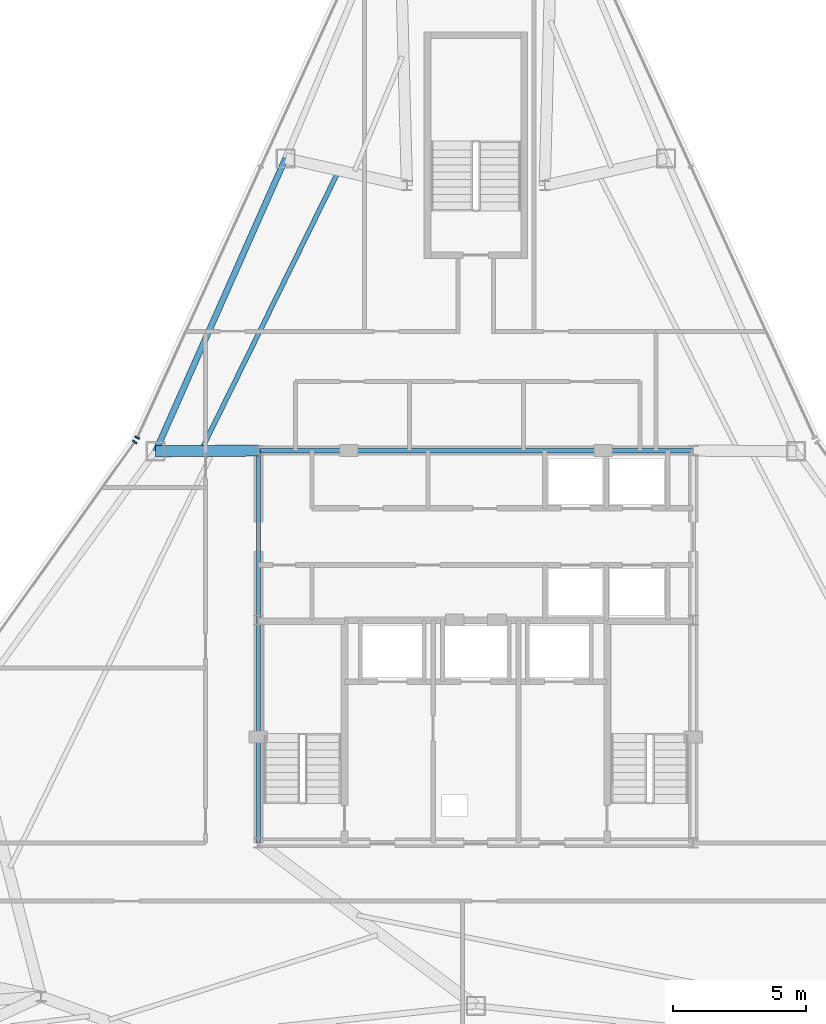
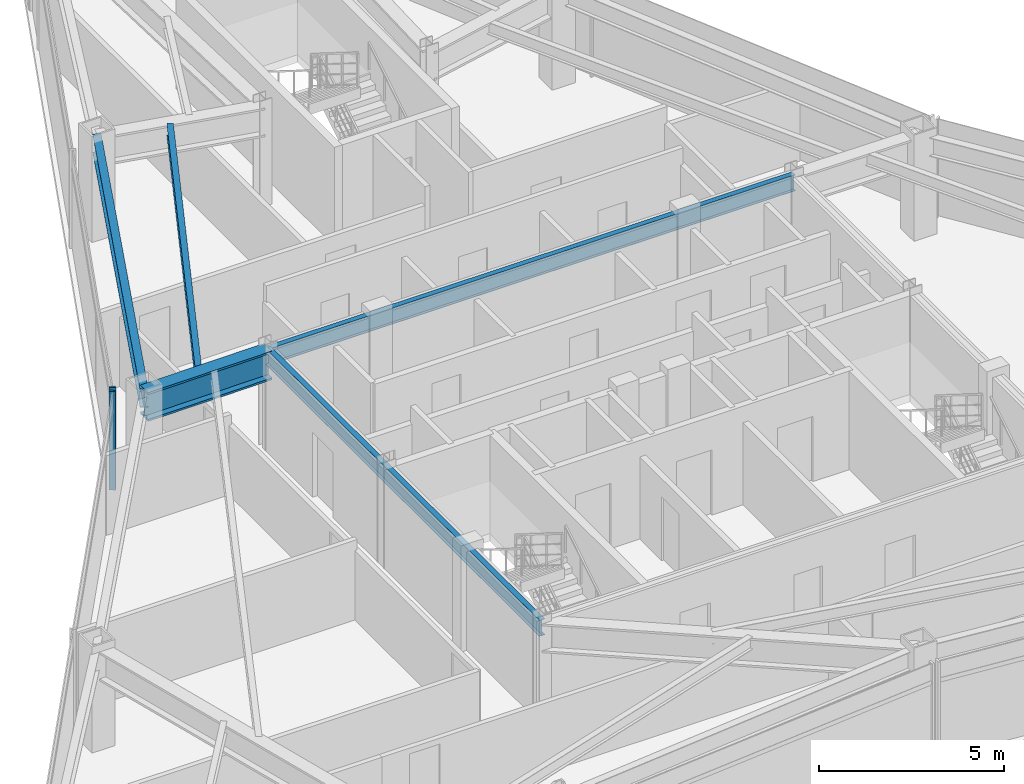
# One storey, part 5 of 12: 5 beams, 2 members, 2 elements without a shape of their own.
"""IFC4 building model written with IfcOpenShell, lengths in metres."""

import ifcopenshell
import ifcopenshell.guid

model = None  # the IFC model being written
_history = None  # IfcOwnerHistory: only IFC2X3 demands one
_inside = {}  # id of a spatial element -> (the spatial element, [elements in it])
_under = {}  # id of a project, library or spatial element -> (it, [spatial elements below it])
_declared = {}  # id of a project -> (the project, [libraries it declares])
_typed = {}  # id of a type object -> (the type object, [elements of that type])
_made_of = {}  # id of a material, layer set ... -> (it, [elements and type objects made of it])


def new_model(schema):
    """Start an empty IFC model of exactly this schema.

    Asked for "IFC4X3", IfcOpenShell would pick the latest addendum, in which some entities
    have other attributes; the version numbers below select the first issue.
    IFC2X3 requires an IfcOwnerHistory on every rooted entity: one is made here for all.
    """
    global model, _history
    if schema == "IFC4X3":
        model = ifcopenshell.file(schema_version=(4, 3, 0, 0))
    else:
        model = ifcopenshell.file(schema=schema)
    _inside.clear()
    _under.clear()
    _declared.clear()
    _typed.clear()
    _made_of.clear()
    _history = None
    if model.schema == "IFC2X3":
        org = make("IfcOrganization", Name="unknown")
        user = make(
            "IfcPersonAndOrganization",
            ThePerson=make("IfcPerson", FamilyName="unknown"),
            TheOrganization=org,
        )
        app = make(
            "IfcApplication",
            ApplicationDeveloper=org,
            Version="unknown",
            ApplicationFullName="unknown",
            ApplicationIdentifier="unknown",
        )
        _history = make(
            "IfcOwnerHistory",
            OwningUser=user,
            OwningApplication=app,
            ChangeAction="ADDED",
            CreationDate=0,
        )
    return model


def make(cls, **values):
    """One entity of the class cls with the attributes given. An attribute that is None is left unset."""
    return model.create_entity(
        cls, **{name: value for name, value in values.items() if value is not None}
    )


def rooted(cls, **values):
    """An entity with a GlobalId (a new one), such as an element, a storey or a relation."""
    return make(cls, GlobalId=ifcopenshell.guid.new(), OwnerHistory=_history, **values)


def si_unit(unit_type, name, prefix=None):
    """IfcSIUnit, for example si_unit("LENGTHUNIT", "METRE", prefix="MILLI")."""
    return make("IfcSIUnit", UnitType=unit_type, Prefix=prefix, Name=name)


def assignment(units):
    """IfcUnitAssignment: the units of a project."""
    return None if units is None else make("IfcUnitAssignment", Units=units)


def point(xyz):
    """IfcCartesianPoint."""
    return None if xyz is None else make("IfcCartesianPoint", Coordinates=xyz)


def direction(xyz):
    """IfcDirection."""
    return None if xyz is None else make("IfcDirection", DirectionRatios=xyz)


def frame(location, z_axis=None, x_axis=None):
    """IfcAxis2Placement3D, a coordinate frame: its origin and axes. An axis left out is left unset."""
    return make(
        "IfcAxis2Placement3D",
        Location=point(location),
        Axis=direction(z_axis),
        RefDirection=direction(x_axis),
    )


def frame_2d(location, x_axis=None):
    """IfcAxis2Placement2D, a coordinate frame in the plane: its origin and x axis."""
    return make(
        "IfcAxis2Placement2D", Location=point(location), RefDirection=direction(x_axis)
    )


def origin():
    """The frame at (0, 0, 0) with its axes left unset."""
    return frame((0.0, 0.0, 0.0))


def origin_2d():
    """The frame at (0, 0) in the plane with its x axis left unset."""
    return frame_2d((0.0, 0.0))


def place(relative_to, where):
    """IfcLocalPlacement: puts the frame where relative to a parent placement (None: the world)."""
    return make(
        "IfcLocalPlacement", PlacementRelTo=relative_to, RelativePlacement=where
    )


def context(
    kind, dimensions, precision=None, world=None, true_north=None, identifier=None
):
    """IfcGeometricRepresentationContext, for example the 3D "Model" context."""
    return make(
        "IfcGeometricRepresentationContext",
        ContextIdentifier=identifier,
        ContextType=kind,
        CoordinateSpaceDimension=dimensions,
        Precision=precision,
        WorldCoordinateSystem=world,
        TrueNorth=true_north,
    )


def subcontext(parent, identifier, kind, view, scale=None):
    """IfcGeometricRepresentationSubContext, for example "Body" below "Model"."""
    return make(
        "IfcGeometricRepresentationSubContext",
        ContextIdentifier=identifier,
        ContextType=kind,
        ParentContext=parent,
        TargetScale=scale,
        TargetView=view,
    )


def project(units=None, contexts=None):
    """IfcProject with its units and contexts."""
    return rooted(
        "IfcProject",
        Name="project",
        RepresentationContexts=contexts,
        UnitsInContext=assignment(units),
    )


def spatial(cls, under=None, at=None, **own):
    """A site, building, storey or space (cls), placed at a placement, below another one or the project."""
    s = rooted(cls, ObjectPlacement=at, **own)
    if under is not None:
        _under.setdefault(under.id(), (under, []))[1].append(s)
    return s


def profile(cls, at=None, kind="AREA", **sizes):
    """A parametric profile (cls). Its sizes go by their IFC names, for example OverallWidth=200.0."""
    return make(cls, ProfileType=kind, Position=at, **sizes)


def rectangle(**sizes):
    """IfcRectangleProfileDef."""
    return profile("IfcRectangleProfileDef", **sizes)


def i_section(**sizes):
    """IfcIShapeProfileDef."""
    return profile("IfcIShapeProfileDef", **sizes)


def extrude(swept, where, along, depth):
    """IfcExtrudedAreaSolid: the profile swept, set in the frame where, extruded along a direction by depth."""
    return make(
        "IfcExtrudedAreaSolid",
        SweptArea=swept,
        Position=where,
        ExtrudedDirection=direction(along),
        Depth=depth,
    )


def shape(context_of_items, identifier, shape_type, items):
    """IfcShapeRepresentation: the items that make up one representation, for example the "Body"."""
    return make(
        "IfcShapeRepresentation",
        ContextOfItems=context_of_items,
        RepresentationIdentifier=identifier,
        RepresentationType=shape_type,
        Items=items,
    )


def source(mapping_origin, context_of_items, identifier, shape_type, items):
    """IfcRepresentationMap: a shape defined once, which mapped items show again and again."""
    return make(
        "IfcRepresentationMap",
        MappingOrigin=mapping_origin,
        MappedRepresentation=shape(context_of_items, identifier, shape_type, items),
    )


def transform(
    local_origin,
    x_axis=None,
    y_axis=None,
    z_axis=None,
    scale=None,
    scale2=None,
    scale3=None,
    uniform=True,
):
    """IfcCartesianTransformationOperator3D, or its non-uniform kind. x_axis, y_axis, z_axis: its Axis1, 2, 3."""
    if uniform:
        return make(
            "IfcCartesianTransformationOperator3D",
            Axis1=direction(x_axis),
            Axis2=direction(y_axis),
            LocalOrigin=point(local_origin),
            Scale=scale,
            Axis3=direction(z_axis),
        )
    return make(
        "IfcCartesianTransformationOperator3DnonUniform",
        Axis1=direction(x_axis),
        Axis2=direction(y_axis),
        LocalOrigin=point(local_origin),
        Scale=scale,
        Axis3=direction(z_axis),
        Scale2=scale2,
        Scale3=scale3,
    )


def mapped(mapping_source, mapping_target):
    """IfcMappedItem: shows the shape of a source again, moved by a transform."""
    return make(
        "IfcMappedItem", MappingSource=mapping_source, MappingTarget=mapping_target
    )


def material(Name=None, Category=None):
    """IfcMaterial."""
    return make("IfcMaterial", Name=Name, Category=Category)


def layer(
    of_material, thickness, ventilated=None, Name=None, Category=None, Priority=None
):
    """IfcMaterialLayer: one layer of a wall or slab, of a material (None: an air gap)."""
    return make(
        "IfcMaterialLayer",
        Material=of_material,
        LayerThickness=thickness,
        IsVentilated=ventilated,
        Name=Name,
        Category=Category,
        Priority=Priority,
    )


def layer_set(layers, Name=None):
    """IfcMaterialLayerSet."""
    return make("IfcMaterialLayerSet", MaterialLayers=layers, LayerSetName=Name)


def material_profile(
    of_material, cross_section, Name=None, Category=None, Priority=None
):
    """IfcMaterialProfile: a cross section and its material."""
    return make(
        "IfcMaterialProfile",
        Name=Name,
        Material=of_material,
        Profile=cross_section,
        Priority=Priority,
        Category=Category,
    )


def profile_set(profiles, Name=None, composite=None):
    """IfcMaterialProfileSet."""
    return make(
        "IfcMaterialProfileSet",
        Name=Name,
        MaterialProfiles=profiles,
        CompositeProfile=composite,
    )


def made_of(thing, what):
    """Note that an element or type object is made of a material, layer set ...; save() writes the relation."""
    if what is not None:
        _made_of.setdefault(what.id(), (what, []))[1].append(thing)
    return thing


def type_object(cls, material=None, **own):
    """A type object (cls), such as IfcWallType, which elements share."""
    return made_of(rooted(cls, **own), material)


def type_shapes(of_type, sources):
    """Give a type object the sources (RepresentationMaps) that its elements show as mapped items."""
    of_type.RepresentationMaps = sources


def element(
    cls,
    number,
    at=None,
    inside=None,
    cuts=None,
    type_object=None,
    material=None,
    context=None,
    identifier="Body",
    shape_type=None,
    held_by="IfcProductDefinitionShape",
    body=None,
    shapes=None,
    **own,
):
    """One element of the class cls, such as IfcWall. Its Tag is "e" and its number.

    at: its placement. inside: the storey or other place that contains it. cuts: it is an
    opening in that element (IfcRelVoidsElement). A single representation is given by context,
    identifier, shape_type and body (its items); several are given by shapes. held_by: the class
    of the entity that holds the representations. save() writes the other relations.
    """
    e = rooted(cls, Tag="e%d" % number, ObjectPlacement=at, **own)
    if body is not None:
        shapes = [shape(context, identifier, shape_type, body)]
    if shapes is not None:
        e.Representation = make(held_by, Representations=shapes)
    if inside is not None:
        _inside.setdefault(inside.id(), (inside, []))[1].append(e)
    if cuts is not None:
        rooted(
            "IfcRelVoidsElement", RelatingBuildingElement=cuts, RelatedOpeningElement=e
        )
    if type_object is not None:
        _typed.setdefault(type_object.id(), (type_object, []))[1].append(e)
    return made_of(e, material)


def aggregate(whole, parts):
    """IfcRelAggregates: a whole, such as a stair, and the parts it consists of."""
    return rooted("IfcRelAggregates", RelatingObject=whole, RelatedObjects=parts)


def save(model, path):
    """Write the relations noted so far, then the file.

    IfcRelAggregates (storeys below a building ...), IfcRelContainedInSpatialStructure (elements
    in a storey), IfcRelDefinesByType, IfcRelAssociatesMaterial and IfcRelDeclares: one each for
    every whole, place, type object, material and project.
    """
    for whole, parts in _under.values():
        aggregate(whole, parts)
    for where, things in _inside.values():
        rooted(
            "IfcRelContainedInSpatialStructure",
            RelatedElements=things,
            RelatingStructure=where,
        )
    for kind, things in _typed.values():
        rooted("IfcRelDefinesByType", RelatedObjects=things, RelatingType=kind)
    for what, things in _made_of.values():
        rooted("IfcRelAssociatesMaterial", RelatedObjects=things, RelatingMaterial=what)
    for by, libraries in _declared.values():
        rooted("IfcRelDeclares", RelatingContext=by, RelatedDefinitions=libraries)
    model.write(path)


model = new_model("IFC4")

# Units and contexts
model_context = context("Model", 3, precision=1e-05, world=origin(), true_north=direction((0.0, 1.0)))
body_context = subcontext(model_context, "Body", "Model", "MODEL_VIEW")
ifc_project = project(units=[si_unit("LENGTHUNIT", "METRE"), si_unit("AREAUNIT", "SQUARE_METRE"), si_unit("VOLUMEUNIT", "CUBIC_METRE"), si_unit("PLANEANGLEUNIT", "RADIAN"), si_unit("MASSUNIT", "GRAM", prefix="KILO")], contexts=[model_context])

# Site, building, storey
site_placement = place(None, origin())
site = spatial("IfcSite", under=ifc_project, at=site_placement, CompositionType="ELEMENT")
building_placement = place(site_placement, origin())
building = spatial("IfcBuilding", under=site, at=building_placement, Name="Varakhsha Concourse Tower", CompositionType="ELEMENT")
storey_placement = place(building_placement, frame((0.0, 0.0, 243.39990234375)))
storey = spatial("IfcBuildingStorey", under=building, at=storey_placement, Name="L69", CompositionType="ELEMENT", Elevation=243.39990234375)

# Beams
ifc_material_1 = material(Name="Structural Steel ASTM A992 Grade 50", Category="steel")
ifc_material_profile_1 = material_profile(ifc_material_1, i_section(OverallWidth=0.177978515625, OverallDepth=0.406982421875, WebThickness=0.008056640625, FlangeThickness=0.012939453125, at=origin_2d()), Name="W16X40")
ifc_profile_set_1 = profile_set([ifc_material_profile_1], Name="Structural Steel ASTM A992 Grade 50")
beam_type_1 = type_object("IfcBeamType", Name="BM-JST-W16X40", PredefinedType="JOIST", material=ifc_profile_set_1)
beam_1_placement = place(storey_placement, frame((34.7880859375, 41.67431640625, 3.046630859375), z_axis=(-0.441452687095, -0.897284528484, 0.0), x_axis=(0.897284528484, -0.441452687095, 0.0)))
element("IfcBeam", 1, at=beam_1_placement, inside=storey, type_object=beam_type_1, Name="BM-TJST-L69-04", PredefinedType="JOIST", context=body_context, shape_type="SweptSolid", body=[
    extrude(i_section(OverallWidth=0.177978515625, OverallDepth=0.406982421875, WebThickness=0.008056640625, FlangeThickness=0.012939453125, at=origin_2d()), origin(), (0.0, 0.0, 1.0), 11.57958984375),
])
ifc_material_profile_2 = material_profile(ifc_material_1, i_section(OverallWidth=0.423095703125, OverallDepth=0.947998046875, WebThickness=0.0380859375, FlangeThickness=0.06396484375, at=origin_2d()), Name="W36X302")
ifc_profile_set_2 = profile_set([ifc_material_profile_2], Name="Structural Steel ASTM A992 Grade 50")
beam_type_2 = type_object("IfcBeamType", Name="BM-OUTR-W36X302", PredefinedType="USERDEFINED", material=ifc_profile_set_2)
beam_2_placement = place(storey_placement, frame((31.800048828125, 31.199951171875, 2.776123046875), z_axis=(-0.999977325921, -0.00673406595, 0.0), x_axis=(0.00673406595, -0.999977325921, 0.0)))
element("IfcBeam", 2, at=beam_2_placement, inside=storey, type_object=beam_type_2, Name="L69 Radial Floor Girder 05", ObjectType="GIRDER", PredefinedType="USERDEFINED", context=body_context, shape_type="SweptSolid", body=[
    extrude(i_section(OverallWidth=0.423095703125, OverallDepth=0.947998046875, WebThickness=0.0380859375, FlangeThickness=0.06396484375, at=origin_2d()), origin(), (0.0, 0.0, 1.0), 3.879150390625),
])
ifc_material_profile_3 = material_profile(ifc_material_1, i_section(OverallWidth=0.1669921875, OverallDepth=0.534912109375, WebThickness=0.010009765625, FlangeThickness=0.01708984375, at=origin_2d()), Name="W21X57")
ifc_profile_set_3 = profile_set([ifc_material_profile_3], Name="Structural Steel ASTM A992 Grade 50")
beam_type_3 = type_object("IfcBeamType", Name="BM-RAD-W21X57", PredefinedType="BEAM", material=ifc_profile_set_3)
beam_3_placement = place(storey_placement, frame((31.800048828125, 31.199951171875, 2.982666015625), z_axis=(1.0, 0.0, 0.0), x_axis=(0.0, 1.0, 0.0)))
element("IfcBeam", 3, at=beam_3_placement, inside=storey, type_object=beam_type_3, Name="BM-TCORE-L69-CN", PredefinedType="BEAM", context=body_context, shape_type="SweptSolid", body=[
    extrude(i_section(OverallWidth=0.1669921875, OverallDepth=0.534912109375, WebThickness=0.010009765625, FlangeThickness=0.01708984375, at=origin_2d()), origin(), (0.0, 0.0, 1.0), 16.39990234375),
])
beam_4_placement = place(storey_placement, frame((31.800048828125, 16.39990234375, 2.982666015625), z_axis=(0.0, 1.0, 0.0), x_axis=(-1.0, 0.0, 0.0)))
element("IfcBeam", 4, at=beam_4_placement, inside=storey, type_object=beam_type_3, Name="BM-TCORE-L69-CW", PredefinedType="BEAM", context=body_context, shape_type="SweptSolid", body=[
    extrude(i_section(OverallWidth=0.1669921875, OverallDepth=0.534912109375, WebThickness=0.010009765625, FlangeThickness=0.01708984375, at=origin_2d()), origin(), (0.0, 0.0, 1.0), 14.800048828125),
])
ifc_material_profile_4 = material_profile(ifc_material_1, i_section(OverallWidth=0.22900390625, OverallDepth=0.612060546875, WebThickness=0.011962890625, FlangeThickness=0.02001953125, at=origin_2d()), Name="W24X84")
ifc_profile_set_4 = profile_set([ifc_material_profile_4], Name="Structural Steel ASTM A992 Grade 50")
beam_type_4 = type_object("IfcBeamType", Name="BM-SPAN-W24X84", PredefinedType="SPANDREL", material=ifc_profile_set_4)
beam_5_placement = place(storey_placement, frame((32.82275390625, 42.22314453125, 2.944091796875), z_axis=(-0.405519963053, -0.914086188259, 0.0), x_axis=(0.914086188259, -0.405519963053, 0.0)))
element("IfcBeam", 5, at=beam_5_placement, inside=storey, type_object=beam_type_4, Name="BM-SPAN-L69-04", PredefinedType="SPANDREL", context=body_context, shape_type="SweptSolid", body=[
    extrude(i_section(OverallWidth=0.22900390625, OverallDepth=0.612060546875, WebThickness=0.011962890625, FlangeThickness=0.02001953125, at=origin_2d()), origin(), (0.0, 0.0, 1.0), 12.087890625),
])

# Curtain wall, member
ifc_material_2 = material(Name="Anodised Bronze Architectural Aluminium AA 6063-T6", Category="aluminium")
ifc_layer = layer(ifc_material_2, 0.199951171875, Name="CW-SYS-05")
ifc_layer_set = layer_set([ifc_layer], Name="Anodised Bronze Architectural Aluminium AA 6063-T6")
curtain_wall_type = type_object("IfcCurtainWallType", Name="CW-SYS-05", PredefinedType="NOTDEFINED", material=ifc_layer_set)
curtain_wall_1_placement = place(storey_placement, origin())
curtain_wall_1 = element("IfcCurtainWall", 6, at=curtain_wall_1_placement, inside=storey, type_object=curtain_wall_type, Name="L69 Crystal Curtain Wall F2", PredefinedType="NOTDEFINED")
ifc_material_profile_5 = material_profile(ifc_material_2, rectangle(XDim=0.06494140625, YDim=0.179931640625, at=origin_2d()), Name="CWM-180X65")
ifc_profile_set_5 = profile_set([ifc_material_profile_5], Name="Anodised Bronze Architectural Aluminium AA 6063-T6")
member_type = type_object("IfcMemberType", Name="CWM-180X65", PredefinedType="MULLION", material=ifc_profile_set_5)
shared_shape = source(origin(), body_context, "Body", "SweptSolid", [
    extrude(rectangle(XDim=0.06494140625, YDim=0.179931640625, at=origin_2d()), origin(), (0.0, 0.0, 1.0), 3.25),
])
type_shapes(member_type, [shared_shape])
member_1_placement = place(storey_placement, frame((27.223388671875, 31.686279296875, 0.0), z_axis=(0.0, 0.0, 1.0), x_axis=(0.415133120597, 0.909760678521, 0.0)))
member_1 = element("IfcMember", 7, at=member_1_placement, type_object=member_type, Name="CW-L69-F2 Mullion 00", PredefinedType="MULLION", context=body_context, shape_type="MappedRepresentation", body=[
    mapped(shared_shape, transform((0.0, 0.0, 0.0), scale=1.0)),
])
aggregate(curtain_wall_1, [member_1])

curtain_wall_2_placement = place(storey_placement, origin())
curtain_wall_2 = element("IfcCurtainWall", 8, at=curtain_wall_2_placement, inside=storey, type_object=curtain_wall_type, Name="L69 Crystal Curtain Wall F3", PredefinedType="NOTDEFINED")
member_2_placement = place(storey_placement, frame((27.12841796875, 31.52197265625, 0.0), z_axis=(0.0, 0.0, 1.0), x_axis=(0.580306455883, 0.814398193306, 0.0)))
member_2 = element("IfcMember", 9, at=member_2_placement, type_object=member_type, Name="CW-L69-F3 Mullion 02", PredefinedType="MULLION", context=body_context, shape_type="MappedRepresentation", body=[
    mapped(shared_shape, transform((0.0, 0.0, 0.0), scale=1.0)),
])
aggregate(curtain_wall_2, [member_2])

save(model, "model.ifc")
